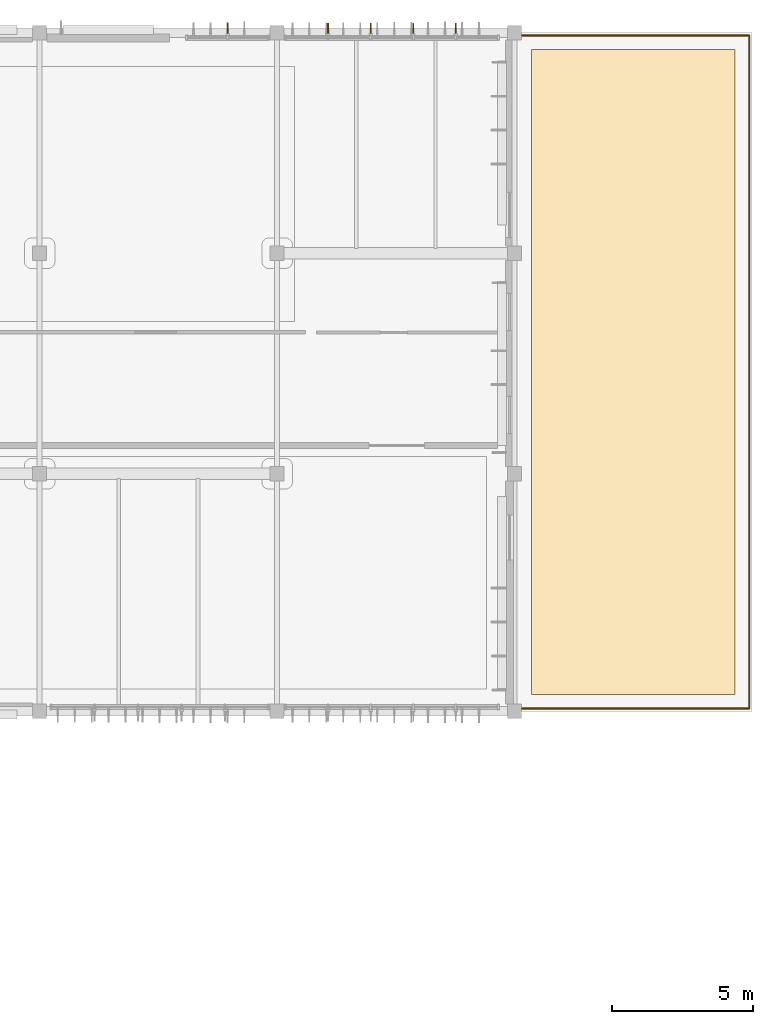
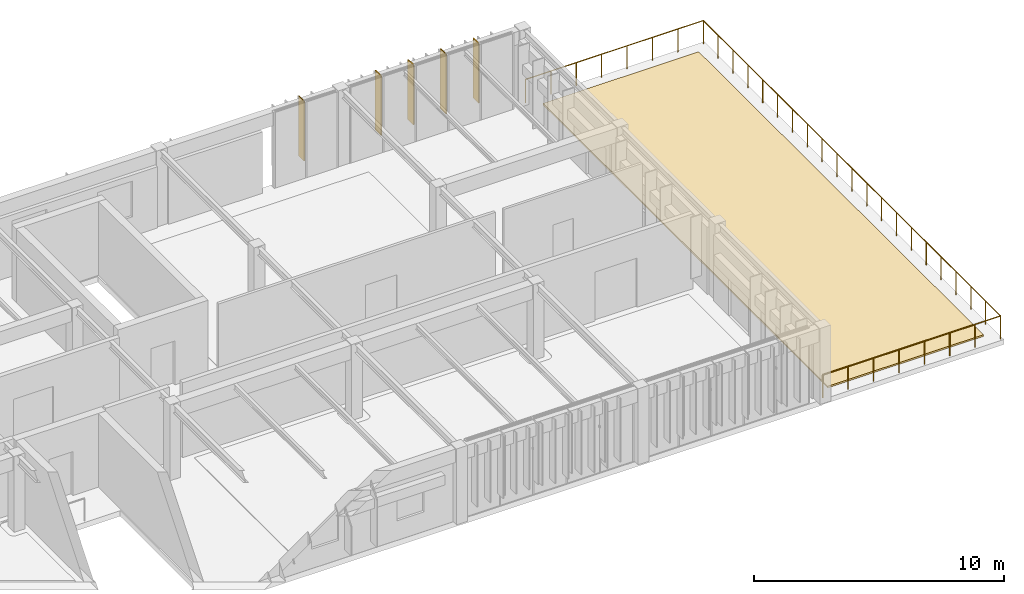
# One storey, part 44 of 44: 5 shading devices, 3 railings, 1 covering.
"""IFC4 building model written with IfcOpenShell, lengths in metres."""

import ifcopenshell
import ifcopenshell.guid

model = None  # the IFC model being written
_history = None  # IfcOwnerHistory: only IFC2X3 demands one
_inside = {}  # id of a spatial element -> (the spatial element, [elements in it])
_under = {}  # id of a project, library or spatial element -> (it, [spatial elements below it])
_declared = {}  # id of a project -> (the project, [libraries it declares])
_typed = {}  # id of a type object -> (the type object, [elements of that type])
_made_of = {}  # id of a material, layer set ... -> (it, [elements and type objects made of it])


def new_model(schema):
    """Start an empty IFC model of exactly this schema.

    Asked for "IFC4X3", IfcOpenShell would pick the latest addendum, in which some entities
    have other attributes; the version numbers below select the first issue.
    IFC2X3 requires an IfcOwnerHistory on every rooted entity: one is made here for all.
    """
    global model, _history
    if schema == "IFC4X3":
        model = ifcopenshell.file(schema_version=(4, 3, 0, 0))
    else:
        model = ifcopenshell.file(schema=schema)
    _inside.clear()
    _under.clear()
    _declared.clear()
    _typed.clear()
    _made_of.clear()
    _history = None
    if model.schema == "IFC2X3":
        org = make("IfcOrganization", Name="unknown")
        user = make(
            "IfcPersonAndOrganization",
            ThePerson=make("IfcPerson", FamilyName="unknown"),
            TheOrganization=org,
        )
        app = make(
            "IfcApplication",
            ApplicationDeveloper=org,
            Version="unknown",
            ApplicationFullName="unknown",
            ApplicationIdentifier="unknown",
        )
        _history = make(
            "IfcOwnerHistory",
            OwningUser=user,
            OwningApplication=app,
            ChangeAction="ADDED",
            CreationDate=0,
        )
    return model


def make(cls, **values):
    """One entity of the class cls with the attributes given. An attribute that is None is left unset."""
    return model.create_entity(
        cls, **{name: value for name, value in values.items() if value is not None}
    )


def rooted(cls, **values):
    """An entity with a GlobalId (a new one), such as an element, a storey or a relation."""
    return make(cls, GlobalId=ifcopenshell.guid.new(), OwnerHistory=_history, **values)


def si_unit(unit_type, name, prefix=None):
    """IfcSIUnit, for example si_unit("LENGTHUNIT", "METRE", prefix="MILLI")."""
    return make("IfcSIUnit", UnitType=unit_type, Prefix=prefix, Name=name)


def assignment(units):
    """IfcUnitAssignment: the units of a project."""
    return None if units is None else make("IfcUnitAssignment", Units=units)


def point(xyz):
    """IfcCartesianPoint."""
    return None if xyz is None else make("IfcCartesianPoint", Coordinates=xyz)


def direction(xyz):
    """IfcDirection."""
    return None if xyz is None else make("IfcDirection", DirectionRatios=xyz)


def frame(location, z_axis=None, x_axis=None):
    """IfcAxis2Placement3D, a coordinate frame: its origin and axes. An axis left out is left unset."""
    return make(
        "IfcAxis2Placement3D",
        Location=point(location),
        Axis=direction(z_axis),
        RefDirection=direction(x_axis),
    )


def frame_2d(location, x_axis=None):
    """IfcAxis2Placement2D, a coordinate frame in the plane: its origin and x axis."""
    return make(
        "IfcAxis2Placement2D", Location=point(location), RefDirection=direction(x_axis)
    )


def origin():
    """The frame at (0, 0, 0) with its axes left unset."""
    return frame((0.0, 0.0, 0.0))


def origin_2d():
    """The frame at (0, 0) in the plane with its x axis left unset."""
    return frame_2d((0.0, 0.0))


def place(relative_to, where):
    """IfcLocalPlacement: puts the frame where relative to a parent placement (None: the world)."""
    return make(
        "IfcLocalPlacement", PlacementRelTo=relative_to, RelativePlacement=where
    )


def context(
    kind, dimensions, precision=None, world=None, true_north=None, identifier=None
):
    """IfcGeometricRepresentationContext, for example the 3D "Model" context."""
    return make(
        "IfcGeometricRepresentationContext",
        ContextIdentifier=identifier,
        ContextType=kind,
        CoordinateSpaceDimension=dimensions,
        Precision=precision,
        WorldCoordinateSystem=world,
        TrueNorth=true_north,
    )


def subcontext(parent, identifier, kind, view, scale=None):
    """IfcGeometricRepresentationSubContext, for example "Body" below "Model"."""
    return make(
        "IfcGeometricRepresentationSubContext",
        ContextIdentifier=identifier,
        ContextType=kind,
        ParentContext=parent,
        TargetScale=scale,
        TargetView=view,
    )


def project(units=None, contexts=None):
    """IfcProject with its units and contexts."""
    return rooted(
        "IfcProject",
        Name="project",
        RepresentationContexts=contexts,
        UnitsInContext=assignment(units),
    )


def spatial(cls, under=None, at=None, **own):
    """A site, building, storey or space (cls), placed at a placement, below another one or the project."""
    s = rooted(cls, ObjectPlacement=at, **own)
    if under is not None:
        _under.setdefault(under.id(), (under, []))[1].append(s)
    return s


def polyline(points):
    """IfcPolyline through the points."""
    return make("IfcPolyline", Points=[point(p) for p in points])


def profile(cls, at=None, kind="AREA", **sizes):
    """A parametric profile (cls). Its sizes go by their IFC names, for example OverallWidth=200.0."""
    return make(cls, ProfileType=kind, Position=at, **sizes)


def rectangle(**sizes):
    """IfcRectangleProfileDef."""
    return profile("IfcRectangleProfileDef", **sizes)


def circle(**sizes):
    """IfcCircleProfileDef."""
    return profile("IfcCircleProfileDef", **sizes)


def outline(outer, holes=None, kind="AREA"):
    """IfcArbitraryClosedProfileDef: a profile drawn as a closed curve; with holes, ...WithVoids."""
    if holes is None:
        return make("IfcArbitraryClosedProfileDef", ProfileType=kind, OuterCurve=outer)
    return make(
        "IfcArbitraryProfileDefWithVoids",
        ProfileType=kind,
        OuterCurve=outer,
        InnerCurves=holes,
    )


def extrude(swept, where, along, depth):
    """IfcExtrudedAreaSolid: the profile swept, set in the frame where, extruded along a direction by depth."""
    return make(
        "IfcExtrudedAreaSolid",
        SweptArea=swept,
        Position=where,
        ExtrudedDirection=direction(along),
        Depth=depth,
    )


def shape(context_of_items, identifier, shape_type, items):
    """IfcShapeRepresentation: the items that make up one representation, for example the "Body"."""
    return make(
        "IfcShapeRepresentation",
        ContextOfItems=context_of_items,
        RepresentationIdentifier=identifier,
        RepresentationType=shape_type,
        Items=items,
    )


def material(Name=None, Category=None):
    """IfcMaterial."""
    return make("IfcMaterial", Name=Name, Category=Category)


def layer(
    of_material, thickness, ventilated=None, Name=None, Category=None, Priority=None
):
    """IfcMaterialLayer: one layer of a wall or slab, of a material (None: an air gap)."""
    return make(
        "IfcMaterialLayer",
        Material=of_material,
        LayerThickness=thickness,
        IsVentilated=ventilated,
        Name=Name,
        Category=Category,
        Priority=Priority,
    )


def layer_set(layers, Name=None):
    """IfcMaterialLayerSet."""
    return make("IfcMaterialLayerSet", MaterialLayers=layers, LayerSetName=Name)


def material_profile(
    of_material, cross_section, Name=None, Category=None, Priority=None
):
    """IfcMaterialProfile: a cross section and its material."""
    return make(
        "IfcMaterialProfile",
        Name=Name,
        Material=of_material,
        Profile=cross_section,
        Priority=Priority,
        Category=Category,
    )


def profile_set(profiles, Name=None, composite=None):
    """IfcMaterialProfileSet."""
    return make(
        "IfcMaterialProfileSet",
        Name=Name,
        MaterialProfiles=profiles,
        CompositeProfile=composite,
    )


def made_of(thing, what):
    """Note that an element or type object is made of a material, layer set ...; save() writes the relation."""
    if what is not None:
        _made_of.setdefault(what.id(), (what, []))[1].append(thing)
    return thing


def type_object(cls, material=None, **own):
    """A type object (cls), such as IfcWallType, which elements share."""
    return made_of(rooted(cls, **own), material)


def element(
    cls,
    number,
    at=None,
    inside=None,
    cuts=None,
    type_object=None,
    material=None,
    context=None,
    identifier="Body",
    shape_type=None,
    held_by="IfcProductDefinitionShape",
    body=None,
    shapes=None,
    **own,
):
    """One element of the class cls, such as IfcWall. Its Tag is "e" and its number.

    at: its placement. inside: the storey or other place that contains it. cuts: it is an
    opening in that element (IfcRelVoidsElement). A single representation is given by context,
    identifier, shape_type and body (its items); several are given by shapes. held_by: the class
    of the entity that holds the representations. save() writes the other relations.
    """
    e = rooted(cls, Tag="e%d" % number, ObjectPlacement=at, **own)
    if body is not None:
        shapes = [shape(context, identifier, shape_type, body)]
    if shapes is not None:
        e.Representation = make(held_by, Representations=shapes)
    if inside is not None:
        _inside.setdefault(inside.id(), (inside, []))[1].append(e)
    if cuts is not None:
        rooted(
            "IfcRelVoidsElement", RelatingBuildingElement=cuts, RelatedOpeningElement=e
        )
    if type_object is not None:
        _typed.setdefault(type_object.id(), (type_object, []))[1].append(e)
    return made_of(e, material)


def aggregate(whole, parts):
    """IfcRelAggregates: a whole, such as a stair, and the parts it consists of."""
    return rooted("IfcRelAggregates", RelatingObject=whole, RelatedObjects=parts)


def save(model, path):
    """Write the relations noted so far, then the file.

    IfcRelAggregates (storeys below a building ...), IfcRelContainedInSpatialStructure (elements
    in a storey), IfcRelDefinesByType, IfcRelAssociatesMaterial and IfcRelDeclares: one each for
    every whole, place, type object, material and project.
    """
    for whole, parts in _under.values():
        aggregate(whole, parts)
    for where, things in _inside.values():
        rooted(
            "IfcRelContainedInSpatialStructure",
            RelatedElements=things,
            RelatingStructure=where,
        )
    for kind, things in _typed.values():
        rooted("IfcRelDefinesByType", RelatedObjects=things, RelatingType=kind)
    for what, things in _made_of.values():
        rooted("IfcRelAssociatesMaterial", RelatedObjects=things, RelatingMaterial=what)
    for by, libraries in _declared.values():
        rooted("IfcRelDeclares", RelatingContext=by, RelatedDefinitions=libraries)
    model.write(path)


model = new_model("IFC4")

# Units and contexts
model_context = context("Model", 3, precision=1e-05, world=origin(), true_north=direction((0.0, 1.0)))
body_context = subcontext(model_context, "Body", "Model", "MODEL_VIEW")
ifc_project = project(units=[si_unit("LENGTHUNIT", "METRE"), si_unit("AREAUNIT", "SQUARE_METRE"), si_unit("VOLUMEUNIT", "CUBIC_METRE"), si_unit("PLANEANGLEUNIT", "RADIAN"), si_unit("MASSUNIT", "GRAM", prefix="KILO")], contexts=[model_context])

# Site, building, storey
site_placement = place(None, origin())
site = spatial("IfcSite", under=ifc_project, at=site_placement, CompositionType="ELEMENT")
building_placement = place(site_placement, origin())
building = spatial("IfcBuilding", under=site, at=building_placement, Name="Tazoul Stagehouse", CompositionType="ELEMENT")
storey_placement = place(building_placement, frame((0.0, 0.0, 13.199951171875)))
storey = spatial("IfcBuildingStorey", under=building, at=storey_placement, Name="L03", CompositionType="ELEMENT", Elevation=13.199951171875)

# Shading devices
ifc_material_1 = material(Name="Anodised Bronze Aluminium 6063-T6", Category="aluminium")
ifc_layer_1 = layer(ifc_material_1, 0.050048828125, Name="Anodised Bronze Aluminium 6063-T6")
ifc_layer_set_1 = layer_set([ifc_layer_1], Name="Anodised Bronze Aluminium 6063-T6")
shading_device_type_1 = type_object("IfcShadingDeviceType", Name="Angled Acoustic Sun-Screen Blade 460", PredefinedType="USERDEFINED", material=ifc_layer_set_1)
for number, where, z_axis, x_axis, name in (
    (1, (132.050048828125, 111.89990234375, 0.739990234375), (0.0, 0.0, 1.0), (1.0, 0.0, 0.0), "Shading Louvre FIN-02 CW-V3-N3-L03-B1-SHD01"),
    (2, (135.60400390625, 111.89990234375, 0.739990234375), (0.0, 0.0, 1.0), (1.0, 0.0, 0.0), "Shading Louvre FIN-02 CW-V3-N3-L03-B2-SHD01"),
    (3, (138.612060546875, 111.89990234375, 0.739990234375), (0.0, 0.0, 1.0), (1.0, 0.0, 0.0), "Shading Louvre FIN-02 CW-V3-N3-L03-B2-SHD03"),
):
    element("IfcShadingDevice", number, at=place(storey_placement, frame(where, z_axis=z_axis, x_axis=x_axis)), inside=storey, type_object=shading_device_type_1, Name=name, ObjectType="FIN", PredefinedType="USERDEFINED", context=body_context, shape_type="SweptSolid", body=[
        extrude(rectangle(XDim=0.044921875, YDim=0.4599609375, at=origin_2d()), origin(), (0.0, 0.0, 1.0), 2.919921875),
    ])

# Covering
ifc_material_2 = material(Name="Vegetated Acoustic Extensive Green-Roof Substrate", Category="earth")
ifc_layer_2 = layer(ifc_material_2, 0.080078125, Name="Vegetated Acoustic Extensive Green-Roof Substrate")
ifc_layer_set_2 = layer_set([ifc_layer_2], Name="Vegetated Acoustic Extensive Green-Roof Substrate")
covering_type = type_object("IfcCoveringType", Name="Irrigated Fescue Forecourt Lawn Turf 80", PredefinedType="FLOORING", material=ifc_layer_set_2)
covering_placement = place(storey_placement, origin())
element("IfcCovering", 4, at=covering_placement, inside=storey, type_object=covering_type, Name="L03 Rehearsal Wing Planted Roof Garden", PredefinedType="FLOORING", context=body_context, shape_type="SweptSolid", body=[
    extrude(outline(polyline([(142.800048828125, 88.39990234375), (150.0, 88.39990234375), (150.0, 111.199951171875), (142.800048828125, 111.199951171875), (142.800048828125, 88.39990234375)])), origin(), (0.0, 0.0, 1.0), 0.080078125),
])

# Railings
ifc_material_3 = material(Name="Brushed Stainless Steel 316L", Category="steel")
ifc_material_profile = material_profile(ifc_material_3, circle(Radius=0.027099609375, at=origin_2d()), Name="SS RAIL D54")
ifc_profile_set = profile_set([ifc_material_profile], Name="Brushed Stainless Steel 316L")
railing_type = type_object("IfcRailingType", Name="Terrace Acoustic Glass-and-Steel Guard H1150", PredefinedType="GUARDRAIL", material=ifc_profile_set)
railing_1_placement = place(storey_placement, frame((142.280029296875, 87.89990234375, 0.0)))
element("IfcRailing", 5, at=railing_1_placement, inside=storey, type_object=railing_type, Name="L03 Open-Edge Guard GRD-02 (GRD-TER-V3L3-S1)", PredefinedType="GUARDRAIL", context=body_context, shape_type="SweptSolid", body=[
    extrude(circle(Radius=0.02392578125, at=origin_2d()), frame((0.0, 0.0, 1.1259765625), z_axis=(1.0, 0.0, 0.0), x_axis=(0.0, 1.0, 0.0)), (0.0, 0.0, 1.0), 8.219970703125),
    extrude(circle(Radius=0.02099609375, at=origin_2d()), origin(), (0.0, 0.0, 1.0), 1.101806640625),
    extrude(circle(Radius=0.02099609375, at=origin_2d()), frame((1.17431640625, 0.0, 0.0)), (0.0, 0.0, 1.0), 1.101806640625),
    extrude(circle(Radius=0.02099609375, at=origin_2d()), frame((2.3486328125, 0.0, 0.0)), (0.0, 0.0, 1.0), 1.101806640625),
    extrude(circle(Radius=0.02099609375, at=origin_2d()), frame((3.52294921875, 0.0, 0.0)), (0.0, 0.0, 1.0), 1.101806640625),
    extrude(circle(Radius=0.02099609375, at=origin_2d()), frame((4.697021484375, 0.0, 0.0)), (0.0, 0.0, 1.0), 1.101806640625),
    extrude(circle(Radius=0.02099609375, at=origin_2d()), frame((5.871337890625, 0.0, 0.0)), (0.0, 0.0, 1.0), 1.101806640625),
    extrude(circle(Radius=0.02099609375, at=origin_2d()), frame((7.045654296875, 0.0, 0.0)), (0.0, 0.0, 1.0), 1.101806640625),
    extrude(circle(Radius=0.02099609375, at=origin_2d()), frame((8.219970703125, 0.0, 0.0)), (0.0, 0.0, 1.0), 1.101806640625),
])
railing_2_placement = place(storey_placement, frame((150.5, 87.89990234375, 0.0)))
element("IfcRailing", 6, at=railing_2_placement, inside=storey, type_object=railing_type, Name="L03 Open-Edge Guard GRD-02 (GRD-TER-V3L3-E1)", PredefinedType="GUARDRAIL", context=body_context, shape_type="SweptSolid", body=[
    extrude(circle(Radius=0.02392578125, at=origin_2d()), frame((0.0, 0.0, 1.1259765625), z_axis=(0.0, 1.0, 0.0), x_axis=(-1.0, 0.0, 0.0)), (0.0, 0.0, 1.0), 23.800048828125),
    extrude(circle(Radius=0.02099609375, at=origin_2d()), origin(), (0.0, 0.0, 1.0), 1.101806640625),
    extrude(circle(Radius=0.02099609375, at=origin_2d()), frame((0.0, 1.18994140625, 0.0)), (0.0, 0.0, 1.0), 1.101806640625),
    extrude(circle(Radius=0.02099609375, at=origin_2d()), frame((0.0, 2.3798828125, 0.0)), (0.0, 0.0, 1.0), 1.101806640625),
    extrude(circle(Radius=0.02099609375, at=origin_2d()), frame((0.0, 3.570068359375, 0.0)), (0.0, 0.0, 1.0), 1.101806640625),
    extrude(circle(Radius=0.02099609375, at=origin_2d()), frame((0.0, 4.760009765625, 0.0)), (0.0, 0.0, 1.0), 1.101806640625),
    extrude(circle(Radius=0.02099609375, at=origin_2d()), frame((0.0, 5.949951171875, 0.0)), (0.0, 0.0, 1.0), 1.101806640625),
    extrude(circle(Radius=0.02099609375, at=origin_2d()), frame((0.0, 7.14013671875, 0.0)), (0.0, 0.0, 1.0), 1.101806640625),
    extrude(circle(Radius=0.02099609375, at=origin_2d()), frame((0.0, 8.330078125, 0.0)), (0.0, 0.0, 1.0), 1.101806640625),
    extrude(circle(Radius=0.02099609375, at=origin_2d()), frame((0.0, 9.52001953125, 0.0)), (0.0, 0.0, 1.0), 1.101806640625),
    extrude(circle(Radius=0.02099609375, at=origin_2d()), frame((0.0, 10.7099609375, 0.0)), (0.0, 0.0, 1.0), 1.101806640625),
    extrude(circle(Radius=0.02099609375, at=origin_2d()), frame((0.0, 11.89990234375, 0.0)), (0.0, 0.0, 1.0), 1.101806640625),
    extrude(circle(Radius=0.02099609375, at=origin_2d()), frame((0.0, 13.090087890625, 0.0)), (0.0, 0.0, 1.0), 1.101806640625),
    extrude(circle(Radius=0.02099609375, at=origin_2d()), frame((0.0, 14.280029296875, 0.0)), (0.0, 0.0, 1.0), 1.101806640625),
    extrude(circle(Radius=0.02099609375, at=origin_2d()), frame((0.0, 15.469970703125, 0.0)), (0.0, 0.0, 1.0), 1.101806640625),
    extrude(circle(Radius=0.02099609375, at=origin_2d()), frame((0.0, 16.66015625, 0.0)), (0.0, 0.0, 1.0), 1.101806640625),
    extrude(circle(Radius=0.02099609375, at=origin_2d()), frame((0.0, 17.85009765625, 0.0)), (0.0, 0.0, 1.0), 1.101806640625),
    extrude(circle(Radius=0.02099609375, at=origin_2d()), frame((0.0, 19.0400390625, 0.0)), (0.0, 0.0, 1.0), 1.101806640625),
    extrude(circle(Radius=0.02099609375, at=origin_2d()), frame((0.0, 20.22998046875, 0.0)), (0.0, 0.0, 1.0), 1.101806640625),
    extrude(circle(Radius=0.02099609375, at=origin_2d()), frame((0.0, 21.419921875, 0.0)), (0.0, 0.0, 1.0), 1.101806640625),
    extrude(circle(Radius=0.02099609375, at=origin_2d()), frame((0.0, 22.610107421875, 0.0)), (0.0, 0.0, 1.0), 1.101806640625),
    extrude(circle(Radius=0.02099609375, at=origin_2d()), frame((0.0, 23.800048828125, 0.0)), (0.0, 0.0, 1.0), 1.101806640625),
])
railing_3_placement = place(storey_placement, frame((150.5, 111.699951171875, 0.0)))
element("IfcRailing", 7, at=railing_3_placement, inside=storey, type_object=railing_type, Name="L03 Open-Edge Guard GRD-02 (GRD-TER-V3L3-N1)", PredefinedType="GUARDRAIL", context=body_context, shape_type="SweptSolid", body=[
    extrude(circle(Radius=0.02392578125, at=origin_2d()), frame((0.0, 0.0, 1.1259765625), z_axis=(-1.0, 0.0, 0.0), x_axis=(0.0, -1.0, 0.0)), (0.0, 0.0, 1.0), 8.219970703125),
    extrude(circle(Radius=0.02099609375, at=origin_2d()), origin(), (0.0, 0.0, 1.0), 1.101806640625),
    extrude(circle(Radius=0.02099609375, at=origin_2d()), frame((-1.17431640625, 0.0, 0.0)), (0.0, 0.0, 1.0), 1.101806640625),
    extrude(circle(Radius=0.02099609375, at=origin_2d()), frame((-2.3486328125, 0.0, 0.0)), (0.0, 0.0, 1.0), 1.101806640625),
    extrude(circle(Radius=0.02099609375, at=origin_2d()), frame((-3.52294921875, 0.0, 0.0)), (0.0, 0.0, 1.0), 1.101806640625),
    extrude(circle(Radius=0.02099609375, at=origin_2d()), frame((-4.697021484375, 0.0, 0.0)), (0.0, 0.0, 1.0), 1.101806640625),
    extrude(circle(Radius=0.02099609375, at=origin_2d()), frame((-5.871337890625, 0.0, 0.0)), (0.0, 0.0, 1.0), 1.101806640625),
    extrude(circle(Radius=0.02099609375, at=origin_2d()), frame((-7.045654296875, 0.0, 0.0)), (0.0, 0.0, 1.0), 1.101806640625),
    extrude(circle(Radius=0.02099609375, at=origin_2d()), frame((-8.219970703125, 0.0, 0.0)), (0.0, 0.0, 1.0), 1.101806640625),
])

# Shading devices
ifc_layer_3 = layer(ifc_material_1, 0.044921875, Name="Anodised Bronze Aluminium 6063-T6")
ifc_layer_set_3 = layer_set([ifc_layer_3], Name="Anodised Bronze Aluminium 6063-T6")
shading_device_type_2 = type_object("IfcShadingDeviceType", Name="Vertical Extruded Terracotta-Bronze Louvre 460", PredefinedType="JALOUSIE", material=ifc_layer_set_3)
for number, where, z_axis, x_axis, name in (
    (8, (137.10791015625, 111.89990234375, 0.739990234375), (0.0, 0.0, 1.0), (1.0, 0.0, 0.0), "Shading Louvre FIN-01 CW-V3-N3-L03-B2-SHD02"),
    (9, (140.115966796875, 111.89990234375, 0.739990234375), (0.0, 0.0, 1.0), (1.0, 0.0, 0.0), "Shading Louvre FIN-01 CW-V3-N3-L03-B2-SHD04"),
):
    element("IfcShadingDevice", number, at=place(storey_placement, frame(where, z_axis=z_axis, x_axis=x_axis)), inside=storey, type_object=shading_device_type_2, Name=name, PredefinedType="JALOUSIE", context=body_context, shape_type="SweptSolid", body=[
        extrude(rectangle(XDim=0.044921875, YDim=0.4599609375, at=origin_2d()), origin(), (0.0, 0.0, 1.0), 2.919921875),
    ])

save(model, "model.ifc")
